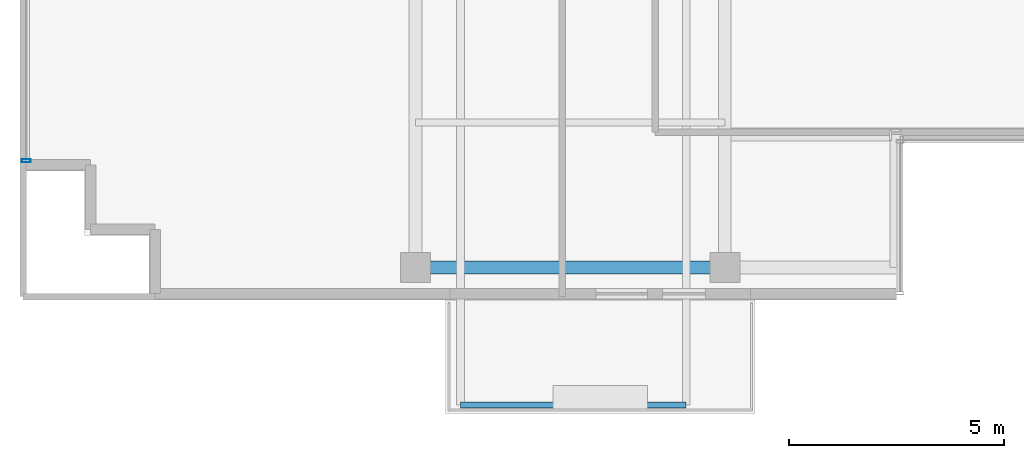
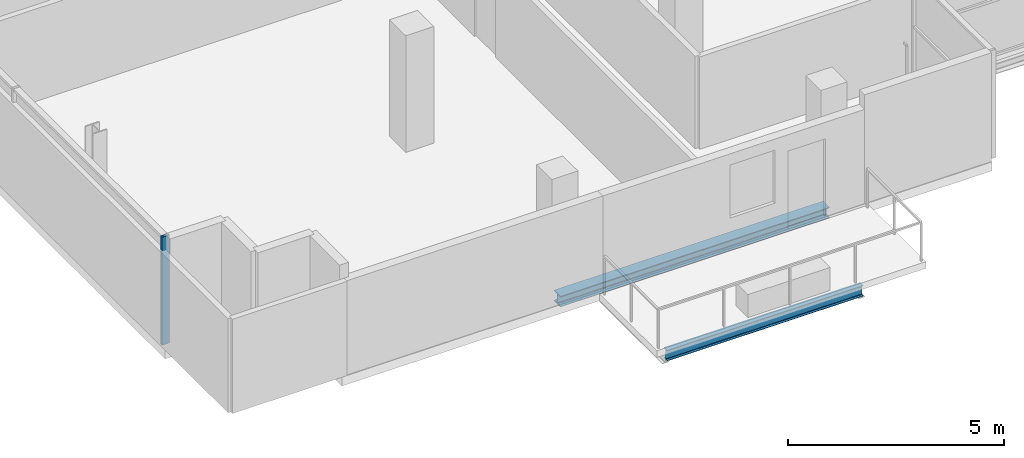
# One storey, part 2 of 24: 2 beams, 1 member, 1 element without a shape of its own.
"""IFC4 building model written with IfcOpenShell, lengths in metres."""

from ifc_helpers import new_model, si_unit, direction, frame, origin, origin_2d, place, context, subcontext, project, spatial, hollow_rectangle, i_section, extrude, source, transform, mapped, material, layer, layer_set, material_profile, profile_set, type_object, element, aggregate, save


model = new_model("IFC4")

# Units and contexts
model_context = context("Model", 3, precision=1e-05, world=origin(), true_north=direction((0.0, 1.0)))
body_context = subcontext(model_context, "Body", "Model", "MODEL_VIEW")
ifc_project = project(units=[si_unit("LENGTHUNIT", "METRE"), si_unit("AREAUNIT", "SQUARE_METRE"), si_unit("VOLUMEUNIT", "CUBIC_METRE"), si_unit("PLANEANGLEUNIT", "RADIAN"), si_unit("MASSUNIT", "GRAM", prefix="KILO")], contexts=[model_context])

# Site, building, storey
site_placement = place(None, origin())
site = spatial("IfcSite", under=ifc_project, at=site_placement, CompositionType="ELEMENT")
building_placement = place(site_placement, origin())
building = spatial("IfcBuilding", under=site, at=building_placement, Name="Zarnakvel Exchange Tower", CompositionType="ELEMENT")
storey_placement = place(building_placement, frame((0.0, 0.0, 205.60009765625)))
storey = spatial("IfcBuildingStorey", under=building, at=storey_placement, Name="L57", CompositionType="ELEMENT", Elevation=205.60009765625)

# Beams
ifc_material_1 = material(Name="Steel S355", Category="steel")
ifc_material_profile_1 = material_profile(ifc_material_1, i_section(OverallWidth=0.14990234375, OverallDepth=0.300048828125, WebThickness=0.007080078125, FlangeThickness=0.0107421875, FilletRadius=0.014892578125, at=origin_2d()))
ifc_profile_set_1 = profile_set([ifc_material_profile_1], Name="Steel S355")
beam_type_1 = type_object("IfcBeamType", Name="B-08", PredefinedType="JOIST", material=ifc_profile_set_1)
beam_1_placement = place(storey_placement, frame((-13.35009765625, -19.550048828125, -0.400146484375), z_axis=(1.0, 0.0, 0.0), x_axis=(0.0, 1.0, 0.0)))
element("IfcBeam", 1, at=beam_1_placement, inside=storey, type_object=beam_type_1, Name="L57 Balcony Edge Beam", PredefinedType="JOIST", context=body_context, shape_type="SweptSolid", body=[
    extrude(i_section(OverallWidth=0.14990234375, OverallDepth=0.300048828125, WebThickness=0.007080078125, FlangeThickness=0.0107421875, FilletRadius=0.014892578125, at=origin_2d()), origin(), (0.0, 0.0, 1.0), 5.25),
])
ifc_material_profile_2 = material_profile(ifc_material_1, i_section(OverallWidth=0.300048828125, OverallDepth=0.300048828125, WebThickness=0.010986328125, FlangeThickness=0.01904296875, FilletRadius=0.027099609375, at=origin_2d()))
ifc_profile_set_2 = profile_set([ifc_material_profile_2], Name="Steel S355")
beam_type_2 = type_object("IfcBeamType", Name="SP-03", PredefinedType="SPANDREL", material=ifc_profile_set_2)
beam_2_placement = place(storey_placement, frame((-14.39990234375, -16.35009765625, -0.400146484375), z_axis=(1.0, 0.0, 0.0), x_axis=(0.0, 1.0, 0.0)))
element("IfcBeam", 2, at=beam_2_placement, inside=storey, type_object=beam_type_2, Name="L57 Tower E-W Frame Beam", PredefinedType="SPANDREL", context=body_context, shape_type="SweptSolid", body=[
    extrude(i_section(OverallWidth=0.300048828125, OverallDepth=0.300048828125, WebThickness=0.010986328125, FlangeThickness=0.01904296875, FilletRadius=0.027099609375, at=origin_2d()), origin(), (0.0, 0.0, 1.0), 7.199951171875),
])

# Curtain wall, member
ifc_material_2 = material(Name="Architectural Bronze Anodised Aluminium", Category="aluminium")
ifc_layer = layer(ifc_material_2, 0.199951171875)
ifc_layer_set = layer_set([ifc_layer], Name="Architectural Bronze Anodised Aluminium")
curtain_wall_type = type_object("IfcCurtainWallType", Name="CW-04", PredefinedType="NOTDEFINED", material=ifc_layer_set)
curtain_wall_placement = place(storey_placement, origin())
curtain_wall = element("IfcCurtainWall", 3, at=curtain_wall_placement, inside=storey, type_object=curtain_wall_type, Name="L57 Curtain Wall CW-L57-W1 (CW-04)", PredefinedType="NOTDEFINED")
ifc_material_profile_3 = material_profile(ifc_material_2, hollow_rectangle(XDim=0.199951171875, YDim=0.074951171875, WallThickness=0.0048828125, at=origin_2d()))
ifc_profile_set_3 = profile_set([ifc_material_profile_3], Name="Architectural Bronze Anodised Aluminium")
member_type = type_object("IfcMemberType", Name="CWM-04", PredefinedType="MULLION", material=ifc_profile_set_3)
shared_shape = source(origin(), body_context, "Body", "SweptSolid", [
    extrude(hollow_rectangle(XDim=0.199951171875, YDim=0.074951171875, WallThickness=0.0048828125, at=origin_2d()), origin(), (0.0, 0.0, 1.0), 3.054931640625),
])
member_placement = place(storey_placement, frame((-23.4599609375, -13.862548828125, 0.0), z_axis=(0.0, 0.0, 1.0), x_axis=(-1.0, 0.0, 0.0)))
member = element("IfcMember", 4, at=member_placement, type_object=member_type, Name="CW-04 mullion 1", PredefinedType="MULLION", context=body_context, shape_type="MappedRepresentation", body=[
    mapped(shared_shape, transform((0.0, 0.0, 0.0), x_axis=(1.0, 0.0, 0.0), y_axis=(0.0, 1.0, 0.0), z_axis=(0.0, 0.0, 1.0), scale=1.0)),
])
aggregate(curtain_wall, [member])

save(model, "model.ifc")
